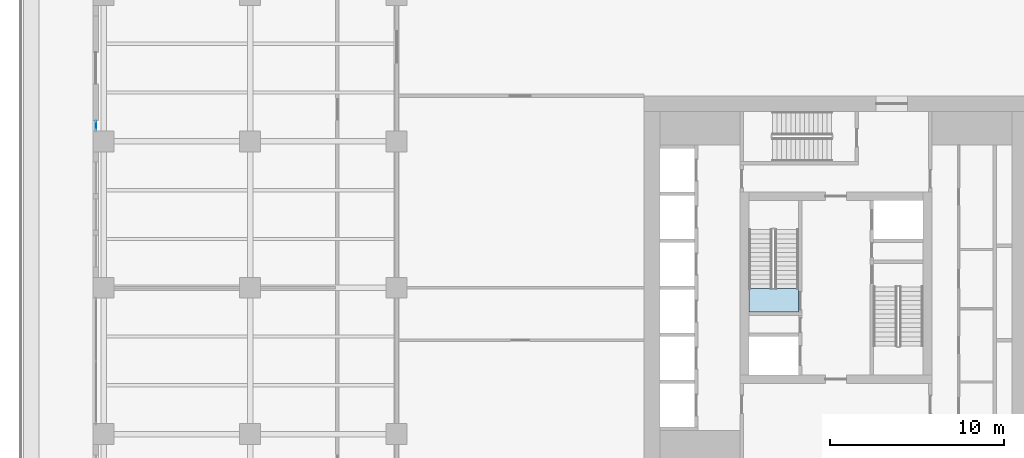
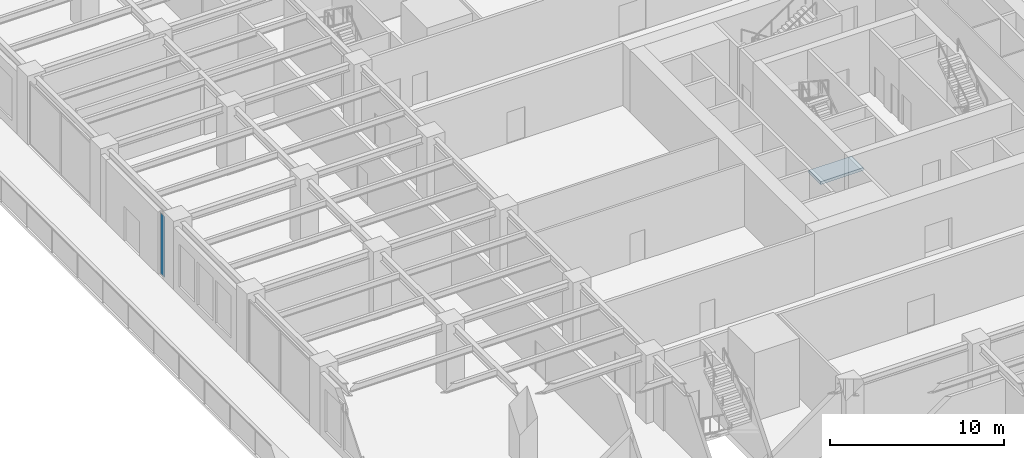
# One storey, part 26 of 53: 1 plate, 1 slab, 2 elements without a shape of their own.
"""IFC4 building model written with IfcOpenShell, lengths in metres."""

from ifc_helpers import new_model, si_unit, direction, frame, origin, origin_2d, place, context, subcontext, project, spatial, polyline, rectangle, outline, extrude, material, layer, layer_set, type_object, element, aggregate, save


model = new_model("IFC4")

# Units and contexts
model_context = context("Model", 3, precision=1e-05, world=origin(), true_north=direction((0.0, 1.0)))
body_context = subcontext(model_context, "Body", "Model", "MODEL_VIEW")
ifc_project = project(units=[si_unit("LENGTHUNIT", "METRE"), si_unit("AREAUNIT", "SQUARE_METRE"), si_unit("VOLUMEUNIT", "CUBIC_METRE"), si_unit("PLANEANGLEUNIT", "RADIAN"), si_unit("MASSUNIT", "GRAM", prefix="KILO")], contexts=[model_context])

# Site, building, storey
site_placement = place(None, origin())
site = spatial("IfcSite", under=ifc_project, at=site_placement, CompositionType="ELEMENT")
building_placement = place(site_placement, origin())
building = spatial("IfcBuilding", under=site, at=building_placement, Name="Khepri Terraces", CompositionType="ELEMENT")
storey_placement = place(building_placement, frame((0.0, 0.0, 7.199951171875)))
storey = spatial("IfcBuildingStorey", under=building, at=storey_placement, Name="L01", CompositionType="ELEMENT", Elevation=7.199951171875)

# Curtain wall, plate
ifc_material_1 = material(Name="Anodised aluminium bronze curtain wall", Category="aluminium")
curtain_wall_type = type_object("IfcCurtainWallType", Name="CW-SYS2-PODIUM", PredefinedType="NOTDEFINED", material=ifc_material_1)
curtain_wall_placement = place(storey_placement, origin())
curtain_wall = element("IfcCurtainWall", 1, at=curtain_wall_placement, inside=storey, type_object=curtain_wall_type, Name="Curtain wall CW2 L01 W", PredefinedType="NOTDEFINED")
ifc_material_2 = material(Name="Clear glass", Category="glass")
ifc_layer_1 = layer(ifc_material_2, 0.028076171875, Name="Clear glass", Category="glass")
ifc_layer_set_1 = layer_set([ifc_layer_1], Name="Clear glass")
plate_type = type_object("IfcPlateType", Name="CW-PANEL-VISION-28", PredefinedType="CURTAIN_PANEL", material=ifc_layer_set_1)
plate_placement = place(storey_placement, frame((-42.449951171875, 9.300048828125, 0.06005859375), z_axis=(0.0, 0.0, 1.0), x_axis=(0.0, -1.0, 0.0)))
plate = element("IfcPlate", 2, at=plate_placement, type_object=plate_type, Name="CW2 panel 1.1", PredefinedType="CURTAIN_PANEL", context=body_context, shape_type="SweptSolid", body=[
    extrude(rectangle(XDim=0.47998046875, YDim=0.028076171875, at=origin_2d()), origin(), (0.0, 0.0, 1.0), 4.260009765625),
])
aggregate(curtain_wall, [plate])

# Stair, slab
ifc_material_3 = material(Name="Concrete C40/50", Category="concrete")
stair_type = type_object("IfcStairType", Name="STAIR-RC-28R", PredefinedType="HALF_TURN_STAIR", material=ifc_material_3)
stair_placement = place(storey_placement, origin())
stair = element("IfcStair", 3, at=stair_placement, inside=storey, type_object=stair_type, Name="L01 Exit Stair ST-1", PredefinedType="HALF_TURN_STAIR")
ifc_layer_2 = layer(ifc_material_3, 0.199951171875, Name="Concrete C40/50", Category="concrete")
ifc_layer_set_2 = layer_set([ifc_layer_2], Name="Concrete C40/50")
slab_type = type_object("IfcSlabType", Name="SLB-CORE-LANDING", PredefinedType="LANDING", material=ifc_layer_set_2)
slab_placement = place(storey_placement, frame((0.0, 0.0, -0.199951171875)))
slab = element("IfcSlab", 4, at=slab_placement, type_object=slab_type, Name="ST-1 landing 1", PredefinedType="LANDING", context=body_context, shape_type="SweptSolid", body=[
    extrude(outline(polyline([(-2.14990234375, -1.39990234375), (-2.14990234375, -0.050048828125), (-5.0, -0.050048828125), (-5.0, -1.39990234375), (-2.14990234375, -1.39990234375)])), origin(), (0.0, 0.0, 1.0), 0.199951171875),
])
aggregate(stair, [slab])

save(model, "model.ifc")
